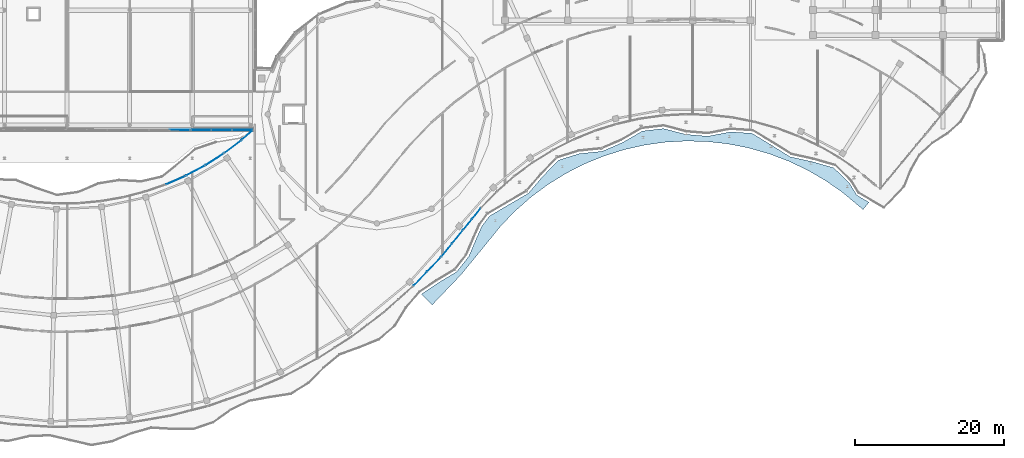
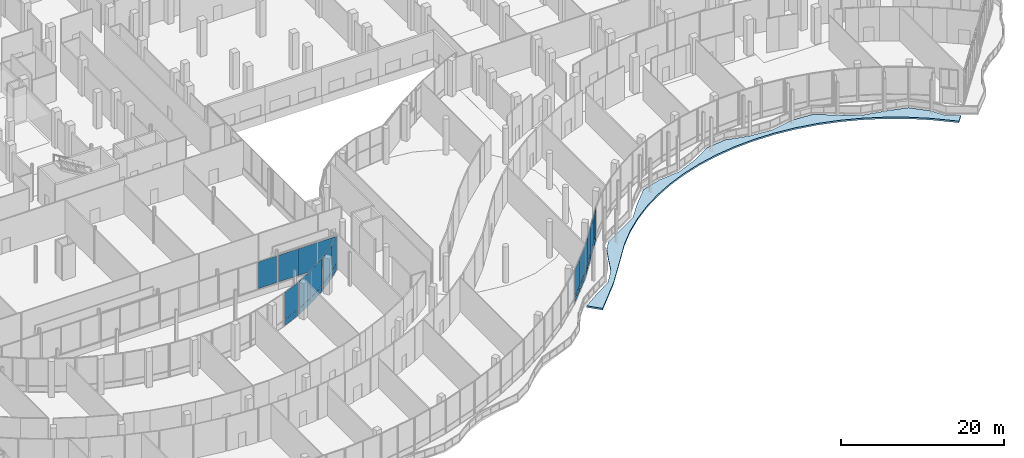
# One storey, part 124 of 158: 26 plates, 1 slab, 10 elements without a shape of their own.
"""IFC4 building model written with IfcOpenShell, lengths in metres."""

from ifc_helpers import new_model, si_unit, direction, frame, origin, origin_2d, place, context, subcontext, project, spatial, polyline, rectangle, outline, extrude, material, layer, layer_set, type_object, element, aggregate, save


model = new_model("IFC4")

# Units and contexts
model_context = context("Model", 3, precision=1e-05, world=origin(), true_north=direction((0.0, 1.0)))
body_context = subcontext(model_context, "Body", "Model", "MODEL_VIEW")
ifc_project = project(units=[si_unit("LENGTHUNIT", "METRE"), si_unit("AREAUNIT", "SQUARE_METRE"), si_unit("VOLUMEUNIT", "CUBIC_METRE"), si_unit("PLANEANGLEUNIT", "RADIAN"), si_unit("MASSUNIT", "GRAM", prefix="KILO")], contexts=[model_context])

# Site, building, storey
site_placement = place(None, origin())
site = spatial("IfcSite", under=ifc_project, at=site_placement, CompositionType="ELEMENT")
building_placement = place(site_placement, origin())
building = spatial("IfcBuilding", under=site, at=building_placement, Name="Selatvlak General Hospital", CompositionType="ELEMENT")
storey_placement = place(building_placement, origin())
storey = spatial("IfcBuildingStorey", under=building, at=storey_placement, Name="L00", CompositionType="ELEMENT", Elevation=0.0)

# Curtain wall, plates
ifc_material_1 = material(Name="Solar-control Low-E double glazing", Category="glass")
curtain_wall_type_1 = type_object("IfcCurtainWallType", Name="CW-CW-02", PredefinedType="USERDEFINED", material=ifc_material_1)
curtain_wall_1_placement = place(storey_placement, origin())
curtain_wall_1 = element("IfcCurtainWall", 1, at=curtain_wall_1_placement, inside=storey, type_object=curtain_wall_type_1, Name="Glazed facade curtain wall CW-L00-0042", ObjectType="UNITISED CURTAIN WALL", PredefinedType="USERDEFINED")
ifc_layer_1 = layer(ifc_material_1, 0.028076171875, Name="Solar-control Low-E double glazing", Category="glass")
ifc_layer_set_1 = layer_set([ifc_layer_1], Name="Solar-control Low-E double glazing")
plate_type = type_object("IfcPlateType", Name="CWP-01", PredefinedType="CURTAIN_PANEL", material=ifc_layer_set_1)
plate_1_placement = place(storey_placement, frame((111.345458984375, 40.64013671875, 0.06494140625), z_axis=(0.0, 0.0, 1.0), x_axis=(-0.630334315986, -0.776323804924, 0.0)))
plate_1 = element("IfcPlate", 2, at=plate_1_placement, type_object=plate_type, Name="CW-02 panel 1.1", PredefinedType="CURTAIN_PANEL", context=body_context, shape_type="SweptSolid", body=[
    extrude(rectangle(XDim=1.724609375, YDim=0.028076171875, at=origin_2d()), origin(), (0.0, 0.0, 1.0), 0.8525390625),
])
plate_2_placement = place(storey_placement, frame((111.345458984375, 40.64013671875, 0.982421875), z_axis=(0.0, 0.0, 1.0), x_axis=(-0.630334315986, -0.776323804924, 0.0)))
plate_2 = element("IfcPlate", 3, at=plate_2_placement, type_object=plate_type, Name="CW-02 panel 1.2", PredefinedType="CURTAIN_PANEL", context=body_context, shape_type="SweptSolid", body=[
    extrude(rectangle(XDim=1.724609375, YDim=0.028076171875, at=origin_2d()), origin(), (0.0, 0.0, 1.0), 4.032470703125),
])
plate_3_placement = place(storey_placement, frame((110.217529296875, 39.2509765625, 0.06494140625), z_axis=(0.0, 0.0, 1.0), x_axis=(-0.630334315986, -0.776323804924, 0.0)))
plate_3 = element("IfcPlate", 4, at=plate_3_placement, type_object=plate_type, Name="CW-02 panel 2.1", PredefinedType="CURTAIN_PANEL", context=body_context, shape_type="SweptSolid", body=[
    extrude(rectangle(XDim=1.724609375, YDim=0.028076171875, at=origin_2d()), origin(), (0.0, 0.0, 1.0), 0.8525390625),
])
plate_4_placement = place(storey_placement, frame((110.217529296875, 39.2509765625, 0.982421875), z_axis=(0.0, 0.0, 1.0), x_axis=(-0.630334315986, -0.776323804924, 0.0)))
plate_4 = element("IfcPlate", 5, at=plate_4_placement, type_object=plate_type, Name="CW-02 panel 2.2", PredefinedType="CURTAIN_PANEL", context=body_context, shape_type="SweptSolid", body=[
    extrude(rectangle(XDim=1.724609375, YDim=0.028076171875, at=origin_2d()), origin(), (0.0, 0.0, 1.0), 4.032470703125),
])
aggregate(curtain_wall_1, [plate_1, plate_2, plate_3, plate_4])

curtain_wall_type_2 = type_object("IfcCurtainWallType", Name="CW-CW-01", PredefinedType="USERDEFINED", material=ifc_material_1)
curtain_wall_2_placement = place(storey_placement, origin())
curtain_wall_2 = element("IfcCurtainWall", 6, at=curtain_wall_2_placement, inside=storey, type_object=curtain_wall_type_2, Name="Glazed facade curtain wall CW-L00-0043", ObjectType="UNITISED CURTAIN WALL", PredefinedType="USERDEFINED")
plate_5_placement = place(storey_placement, frame((108.83251953125, 37.55126953125, 0.06494140625), z_axis=(0.0, 0.0, 1.0), x_axis=(-0.633447461018, -0.773785702976, 0.0)))
plate_5 = element("IfcPlate", 7, at=plate_5_placement, type_object=plate_type, Name="CW-01 panel 1.1", PredefinedType="CURTAIN_PANEL", context=body_context, shape_type="SweptSolid", body=[
    extrude(rectangle(XDim=2.23974609375, YDim=0.028076171875, at=origin_2d()), origin(), (0.0, 0.0, 1.0), 0.8525390625),
])
plate_6_placement = place(storey_placement, frame((108.83251953125, 37.55126953125, 0.982421875), z_axis=(0.0, 0.0, 1.0), x_axis=(-0.633447461018, -0.773785702976, 0.0)))
plate_6 = element("IfcPlate", 8, at=plate_6_placement, type_object=plate_type, Name="CW-01 panel 1.2", PredefinedType="CURTAIN_PANEL", context=body_context, shape_type="SweptSolid", body=[
    extrude(rectangle(XDim=2.23974609375, YDim=0.028076171875, at=origin_2d()), origin(), (0.0, 0.0, 1.0), 4.032470703125),
])
plate_7_placement = place(storey_placement, frame((107.37255859375, 35.767822265625, 0.06494140625), z_axis=(0.0, 0.0, 1.0), x_axis=(-0.633447461018, -0.773785702976, 0.0)))
plate_7 = element("IfcPlate", 9, at=plate_7_placement, type_object=plate_type, Name="CW-01 panel 2.1", PredefinedType="CURTAIN_PANEL", context=body_context, shape_type="SweptSolid", body=[
    extrude(rectangle(XDim=2.23974609375, YDim=0.028076171875, at=origin_2d()), origin(), (0.0, 0.0, 1.0), 0.8525390625),
])
plate_8_placement = place(storey_placement, frame((107.37255859375, 35.767822265625, 0.982421875), z_axis=(0.0, 0.0, 1.0), x_axis=(-0.633447461018, -0.773785702976, 0.0)))
plate_8 = element("IfcPlate", 10, at=plate_8_placement, type_object=plate_type, Name="CW-01 panel 2.2", PredefinedType="CURTAIN_PANEL", context=body_context, shape_type="SweptSolid", body=[
    extrude(rectangle(XDim=2.23974609375, YDim=0.028076171875, at=origin_2d()), origin(), (0.0, 0.0, 1.0), 4.032470703125),
])
aggregate(curtain_wall_2, [plate_5, plate_6, plate_7, plate_8])

curtain_wall_3_placement = place(storey_placement, origin())
curtain_wall_3 = element("IfcCurtainWall", 11, at=curtain_wall_3_placement, inside=storey, type_object=curtain_wall_type_1, Name="Glazed facade curtain wall CW-L00-0044", ObjectType="UNITISED CURTAIN WALL", PredefinedType="USERDEFINED")
plate_9_placement = place(storey_placement, frame((105.6435546875, 33.82470703125, 0.06494140625), z_axis=(0.0, 0.0, 1.0), x_axis=(-0.690943452785, -0.722908808256, 0.0)))
plate_9 = element("IfcPlate", 12, at=plate_9_placement, type_object=plate_type, Name="CW-02 panel 1.1", PredefinedType="CURTAIN_PANEL", context=body_context, shape_type="SweptSolid", body=[
    extrude(rectangle(XDim=2.5458984375, YDim=0.028076171875, at=origin_2d()), origin(), (0.0, 0.0, 1.0), 0.8525390625),
])
plate_10_placement = place(storey_placement, frame((105.6435546875, 33.82470703125, 0.982421875), z_axis=(0.0, 0.0, 1.0), x_axis=(-0.690943452785, -0.722908808256, 0.0)))
plate_10 = element("IfcPlate", 13, at=plate_10_placement, type_object=plate_type, Name="CW-02 panel 1.2", PredefinedType="CURTAIN_PANEL", context=body_context, shape_type="SweptSolid", body=[
    extrude(rectangle(XDim=2.5458984375, YDim=0.028076171875, at=origin_2d()), origin(), (0.0, 0.0, 1.0), 4.032470703125),
])
plate_11_placement = place(storey_placement, frame((103.839599609375, 31.937255859375, 0.06494140625), z_axis=(0.0, 0.0, 1.0), x_axis=(-0.690943452785, -0.722908808256, 0.0)))
plate_11 = element("IfcPlate", 14, at=plate_11_placement, type_object=plate_type, Name="CW-02 panel 2.1", PredefinedType="CURTAIN_PANEL", context=body_context, shape_type="SweptSolid", body=[
    extrude(rectangle(XDim=2.5458984375, YDim=0.028076171875, at=origin_2d()), origin(), (0.0, 0.0, 1.0), 0.8525390625),
])
plate_12_placement = place(storey_placement, frame((103.839599609375, 31.937255859375, 0.982421875), z_axis=(0.0, 0.0, 1.0), x_axis=(-0.690943452785, -0.722908808256, 0.0)))
plate_12 = element("IfcPlate", 15, at=plate_12_placement, type_object=plate_type, Name="CW-02 panel 2.2", PredefinedType="CURTAIN_PANEL", context=body_context, shape_type="SweptSolid", body=[
    extrude(rectangle(XDim=2.5458984375, YDim=0.028076171875, at=origin_2d()), origin(), (0.0, 0.0, 1.0), 4.032470703125),
])
aggregate(curtain_wall_3, [plate_9, plate_10, plate_11, plate_12])

curtain_wall_4_placement = place(storey_placement, origin())
curtain_wall_4 = element("IfcCurtainWall", 16, at=curtain_wall_4_placement, inside=storey, type_object=curtain_wall_type_1, Name="Glazed facade curtain wall CW-L00-0082", ObjectType="UNITISED CURTAIN WALL", PredefinedType="USERDEFINED")
plate_13_placement = place(storey_placement, frame((70.968994140625, 45.1494140625, 0.06494140625), z_axis=(0.0, 0.0, 1.0), x_axis=(0.916899961497, 0.399117101371, 0.0)))
plate_13 = element("IfcPlate", 17, at=plate_13_placement, type_object=plate_type, Name="CW-02 panel 1.1", PredefinedType="CURTAIN_PANEL", context=body_context, shape_type="SweptSolid", body=[
    extrude(rectangle(XDim=2.768798828125, YDim=0.028076171875, at=origin_2d()), origin(), (0.0, 0.0, 1.0), 0.8525390625),
])
plate_14_placement = place(storey_placement, frame((70.968994140625, 45.1494140625, 0.982421875), z_axis=(0.0, 0.0, 1.0), x_axis=(0.916899961497, 0.399117101371, 0.0)))
plate_14 = element("IfcPlate", 18, at=plate_14_placement, type_object=plate_type, Name="CW-02 panel 1.2", PredefinedType="CURTAIN_PANEL", context=body_context, shape_type="SweptSolid", body=[
    extrude(rectangle(XDim=2.768798828125, YDim=0.028076171875, at=origin_2d()), origin(), (0.0, 0.0, 1.0), 4.032470703125),
])
aggregate(curtain_wall_4, [plate_13, plate_14])

curtain_wall_5_placement = place(storey_placement, origin())
curtain_wall_5 = element("IfcCurtainWall", 19, at=curtain_wall_5_placement, inside=storey, type_object=curtain_wall_type_2, Name="Glazed facade curtain wall CW-L00-0083", ObjectType="UNITISED CURTAIN WALL", PredefinedType="USERDEFINED")
plate_15_placement = place(storey_placement, frame((73.650390625, 46.447998046875, 0.06494140625), z_axis=(0.0, 0.0, 1.0), x_axis=(0.88248634372, 0.470338020096, 0.0)))
plate_15 = element("IfcPlate", 20, at=plate_15_placement, type_object=plate_type, Name="CW-01 panel 1.1", PredefinedType="CURTAIN_PANEL", context=body_context, shape_type="SweptSolid", body=[
    extrude(rectangle(XDim=2.7744140625, YDim=0.028076171875, at=origin_2d()), origin(), (0.0, 0.0, 1.0), 0.8525390625),
])
plate_16_placement = place(storey_placement, frame((73.650390625, 46.447998046875, 0.982421875), z_axis=(0.0, 0.0, 1.0), x_axis=(0.88248634372, 0.470338020096, 0.0)))
plate_16 = element("IfcPlate", 21, at=plate_16_placement, type_object=plate_type, Name="CW-01 panel 1.2", PredefinedType="CURTAIN_PANEL", context=body_context, shape_type="SweptSolid", body=[
    extrude(rectangle(XDim=2.7744140625, YDim=0.028076171875, at=origin_2d()), origin(), (0.0, 0.0, 1.0), 4.032470703125),
])
aggregate(curtain_wall_5, [plate_15, plate_16])

curtain_wall_6_placement = place(storey_placement, origin())
curtain_wall_6 = element("IfcCurtainWall", 22, at=curtain_wall_6_placement, inside=storey, type_object=curtain_wall_type_1, Name="Glazed facade curtain wall CW-L00-0084", ObjectType="UNITISED CURTAIN WALL", PredefinedType="USERDEFINED")
plate_17_placement = place(storey_placement, frame((76.221435546875, 47.955078125, 0.06494140625), z_axis=(0.0, 0.0, 1.0), x_axis=(0.842196262178, 0.539171082287, 0.0)))
plate_17 = element("IfcPlate", 23, at=plate_17_placement, type_object=plate_type, Name="CW-02 panel 1.1", PredefinedType="CURTAIN_PANEL", context=body_context, shape_type="SweptSolid", body=[
    extrude(rectangle(XDim=2.770751953125, YDim=0.028076171875, at=origin_2d()), origin(), (0.0, 0.0, 1.0), 0.8525390625),
])
plate_18_placement = place(storey_placement, frame((76.221435546875, 47.955078125, 0.982421875), z_axis=(0.0, 0.0, 1.0), x_axis=(0.842196262178, 0.539171082287, 0.0)))
plate_18 = element("IfcPlate", 24, at=plate_18_placement, type_object=plate_type, Name="CW-02 panel 1.2", PredefinedType="CURTAIN_PANEL", context=body_context, shape_type="SweptSolid", body=[
    extrude(rectangle(XDim=2.770751953125, YDim=0.028076171875, at=origin_2d()), origin(), (0.0, 0.0, 1.0), 4.032470703125),
])
aggregate(curtain_wall_6, [plate_17, plate_18])

curtain_wall_7_placement = place(storey_placement, origin())
curtain_wall_7 = element("IfcCurtainWall", 25, at=curtain_wall_7_placement, inside=storey, type_object=curtain_wall_type_2, Name="Glazed facade curtain wall CW-L00-0085", ObjectType="UNITISED CURTAIN WALL", PredefinedType="USERDEFINED")
plate_19_placement = place(storey_placement, frame((78.6630859375, 49.660400390625, 0.06494140625), z_axis=(0.0, 0.0, 1.0), x_axis=(0.796593922952, 0.604514782215, 0.0)))
plate_19 = element("IfcPlate", 26, at=plate_19_placement, type_object=plate_type, Name="CW-01 panel 1.1", PredefinedType="CURTAIN_PANEL", context=body_context, shape_type="SweptSolid", body=[
    extrude(rectangle(XDim=2.769775390625, YDim=0.028076171875, at=origin_2d()), origin(), (0.0, 0.0, 1.0), 0.8525390625),
])
plate_20_placement = place(storey_placement, frame((78.6630859375, 49.660400390625, 0.982421875), z_axis=(0.0, 0.0, 1.0), x_axis=(0.796593922952, 0.604514782215, 0.0)))
plate_20 = element("IfcPlate", 27, at=plate_20_placement, type_object=plate_type, Name="CW-01 panel 1.2", PredefinedType="CURTAIN_PANEL", context=body_context, shape_type="SweptSolid", body=[
    extrude(rectangle(XDim=2.769775390625, YDim=0.028076171875, at=origin_2d()), origin(), (0.0, 0.0, 1.0), 4.032470703125),
])
aggregate(curtain_wall_7, [plate_19, plate_20])

curtain_wall_8_placement = place(storey_placement, origin())
curtain_wall_8 = element("IfcCurtainWall", 28, at=curtain_wall_8_placement, inside=storey, type_object=curtain_wall_type_1, Name="Glazed facade curtain wall CW-L00-0086", ObjectType="UNITISED CURTAIN WALL", PredefinedType="USERDEFINED")
plate_21_placement = place(storey_placement, frame((80.6044921875, 51.237060546875, 0.06494140625), z_axis=(0.0, 0.0, 1.0), x_axis=(0.746274747631, 0.665638040566, 0.0)))
plate_21 = element("IfcPlate", 29, at=plate_21_placement, type_object=plate_type, Name="CW-02 panel 1.1", PredefinedType="CURTAIN_PANEL", context=body_context, shape_type="SweptSolid", body=[
    extrude(rectangle(XDim=1.81689453125, YDim=0.028076171875, at=origin_2d()), origin(), (0.0, 0.0, 1.0), 0.8525390625),
])
plate_22_placement = place(storey_placement, frame((80.6044921875, 51.237060546875, 0.982421875), z_axis=(0.0, 0.0, 1.0), x_axis=(0.746274747631, 0.665638040566, 0.0)))
plate_22 = element("IfcPlate", 30, at=plate_22_placement, type_object=plate_type, Name="CW-02 panel 1.2", PredefinedType="CURTAIN_PANEL", context=body_context, shape_type="SweptSolid", body=[
    extrude(rectangle(XDim=1.81689453125, YDim=0.028076171875, at=origin_2d()), origin(), (0.0, 0.0, 1.0), 4.032470703125),
])
aggregate(curtain_wall_8, [plate_21, plate_22])

curtain_wall_9_placement = place(storey_placement, origin())
curtain_wall_9 = element("IfcCurtainWall", 31, at=curtain_wall_9_placement, inside=storey, type_object=curtain_wall_type_1, Name="Glazed facade curtain wall CW-L00-0087", ObjectType="UNITISED CURTAIN WALL", PredefinedType="USERDEFINED")
plate_23_placement = place(storey_placement, frame((79.922119140625, 51.8974609375, 1.0048828125), z_axis=(0.0, 0.0, 1.0), x_axis=(-0.999998379485, 0.001800285137, 0.0)))
plate_23 = element("IfcPlate", 32, at=plate_23_placement, type_object=plate_type, Name="CW-02 panel 1.1", PredefinedType="CURTAIN_PANEL", context=body_context, shape_type="SweptSolid", body=[
    extrude(rectangle(XDim=2.679931640625, YDim=0.028076171875, at=origin_2d()), origin(), (0.0, 0.0, 1.0), 4.010009765625),
])
plate_24_placement = place(storey_placement, frame((77.160888671875, 51.902587890625, 1.0048828125), z_axis=(0.0, 0.0, 1.0), x_axis=(-0.999998379485, 0.001800285137, 0.0)))
plate_24 = element("IfcPlate", 33, at=plate_24_placement, type_object=plate_type, Name="CW-02 panel 2.1", PredefinedType="CURTAIN_PANEL", context=body_context, shape_type="SweptSolid", body=[
    extrude(rectangle(XDim=2.71240234375, YDim=0.028076171875, at=origin_2d()), origin(), (0.0, 0.0, 1.0), 4.010009765625),
])
plate_25_placement = place(storey_placement, frame((74.39990234375, 51.907470703125, 1.0048828125), z_axis=(0.0, 0.0, 1.0), x_axis=(-0.999998379485, 0.001800285137, 0.0)))
plate_25 = element("IfcPlate", 34, at=plate_25_placement, type_object=plate_type, Name="CW-02 panel 3.1", PredefinedType="CURTAIN_PANEL", context=body_context, shape_type="SweptSolid", body=[
    extrude(rectangle(XDim=2.679931640625, YDim=0.028076171875, at=origin_2d()), origin(), (0.0, 0.0, 1.0), 4.010009765625),
])
aggregate(curtain_wall_9, [plate_23, plate_24, plate_25])

# Curtain wall, plate
curtain_wall_10_placement = place(storey_placement, origin())
curtain_wall_10 = element("IfcCurtainWall", 35, at=curtain_wall_10_placement, inside=storey, type_object=curtain_wall_type_2, Name="Glazed facade curtain wall CW-L00-0088", ObjectType="UNITISED CURTAIN WALL", PredefinedType="USERDEFINED")
plate_26_placement = place(storey_placement, frame((71.518310546875, 51.91259765625, 1.0048828125), z_axis=(0.0, 0.0, 1.0), x_axis=(-0.99999835986, 0.001811153756, 0.0)))
plate_26 = element("IfcPlate", 36, at=plate_26_placement, type_object=plate_type, Name="CW-01 panel 1.1", PredefinedType="CURTAIN_PANEL", context=body_context, shape_type="SweptSolid", body=[
    extrude(rectangle(XDim=2.6630859375, YDim=0.028076171875, at=origin_2d()), origin(), (0.0, 0.0, 1.0), 4.010009765625),
])
aggregate(curtain_wall_10, [plate_26])

# Slab
ifc_material_2 = material(Name="Concrete C35/45", Category="concrete")
ifc_layer_2 = layer(ifc_material_2, 0.2451171875, Name="Concrete C35/45", Category="concrete")
ifc_layer_set_2 = layer_set([ifc_layer_2], Name="Concrete C35/45")
slab_type = type_object("IfcSlabType", Name="SLAB-SL-AP1", PredefinedType="BASESLAB", material=ifc_layer_set_2)
slab_placement = place(storey_placement, frame((0.0, 0.0, -0.2451171875)))
element("IfcSlab", 37, at=slab_placement, inside=storey, type_object=slab_type, Name="Ground colonnade and entrance deck SL-COLONNADE-GARDEN", PredefinedType="BASESLAB", context=body_context, shape_type="SweptSolid", body=[
    extrude(outline(polyline([(106.220947265625, 31.3720703125), (108.673095703125, 32.85302734375), (108.701904296875, 32.8720703125), (108.72900390625, 32.89404296875), (108.75390625, 32.9189453125), (108.777099609375, 32.945068359375), (110.306884765625, 34.89794921875), (110.326904296875, 34.925048828125), (110.343994140625, 34.955078125), (110.35888671875, 34.986083984375), (111.324951171875, 37.26806640625), (112.092041015625, 38.989013671875), (113.093017578125, 40.3359375), (115.702880859375, 41.87109375), (118.278076171875, 43.364990234375), (118.31396484375, 43.388916015625), (118.347900390625, 43.41796875), (118.3779296875, 43.449951171875), (120.31591796875, 45.73193359375), (122.387939453125, 47.85205078125), (125.159912109375, 48.720947265625), (128.1689453125, 49.029052734375), (128.20703125, 49.034912109375), (128.2451171875, 49.044921875), (128.281982421875, 49.05810546875), (130.972900390625, 50.2119140625), (131.014892578125, 50.23291015625), (133.635009765625, 51.758056640625), (136.468017578125, 52.091064453125), (139.403076171875, 51.324951171875), (139.43505859375, 51.318115234375), (139.468017578125, 51.31298828125), (142.3779296875, 51.06494140625), (142.4130859375, 51.06396484375), (142.448974609375, 51.06591796875), (142.48388671875, 51.071044921875), (145.465087890625, 51.64306640625), (148.340087890625, 51.4580078125), (150.90087890625, 49.909912109375), (153.426025390625, 48.33203125), (153.465087890625, 48.31103515625), (153.506103515625, 48.2939453125), (153.548095703125, 48.281982421875), (156.471923828125, 47.638916015625), (159.327880859375, 46.821044921875), (161.4150390625, 44.801025390625), (162.367919921875, 43.240966796875), (162.388916015625, 43.2099609375), (162.4130859375, 43.180908203125), (162.43994140625, 43.154052734375), (162.468994140625, 43.1298828125), (162.5009765625, 43.10888671875), (164.06298828125, 42.18310546875), (163.262939453125, 41.217041015625), (160.530029296875, 43.501953125), (158.218994140625, 45.110107421875), (155.782958984375, 46.52392578125), (153.239013671875, 47.72998046875), (150.60498046875, 48.719970703125), (147.89794921875, 49.488037109375), (145.135009765625, 50.029052734375), (142.3349609375, 50.339111328125), (139.52099609375, 50.4169921875), (136.712890625, 50.260986328125), (133.923095703125, 49.87109375), (131.176025390625, 49.2529296875), (128.492919921875, 48.408935546875), (125.886962890625, 47.344970703125), (123.375, 46.06689453125), (120.98193359375, 44.5869140625), (118.718994140625, 42.9130859375), (116.60205078125, 41.056884765625), (114.64599609375, 39.031982421875), (112.39794921875, 36.257080078125), (109.2958984375, 32.468994140625), (105.405029296875, 28.39794921875), (103.986083984375, 29.866943359375), (106.220947265625, 31.3720703125)])), origin(), (0.0, 0.0, 1.0), 0.2451171875),
])

save(model, "model.ifc")
